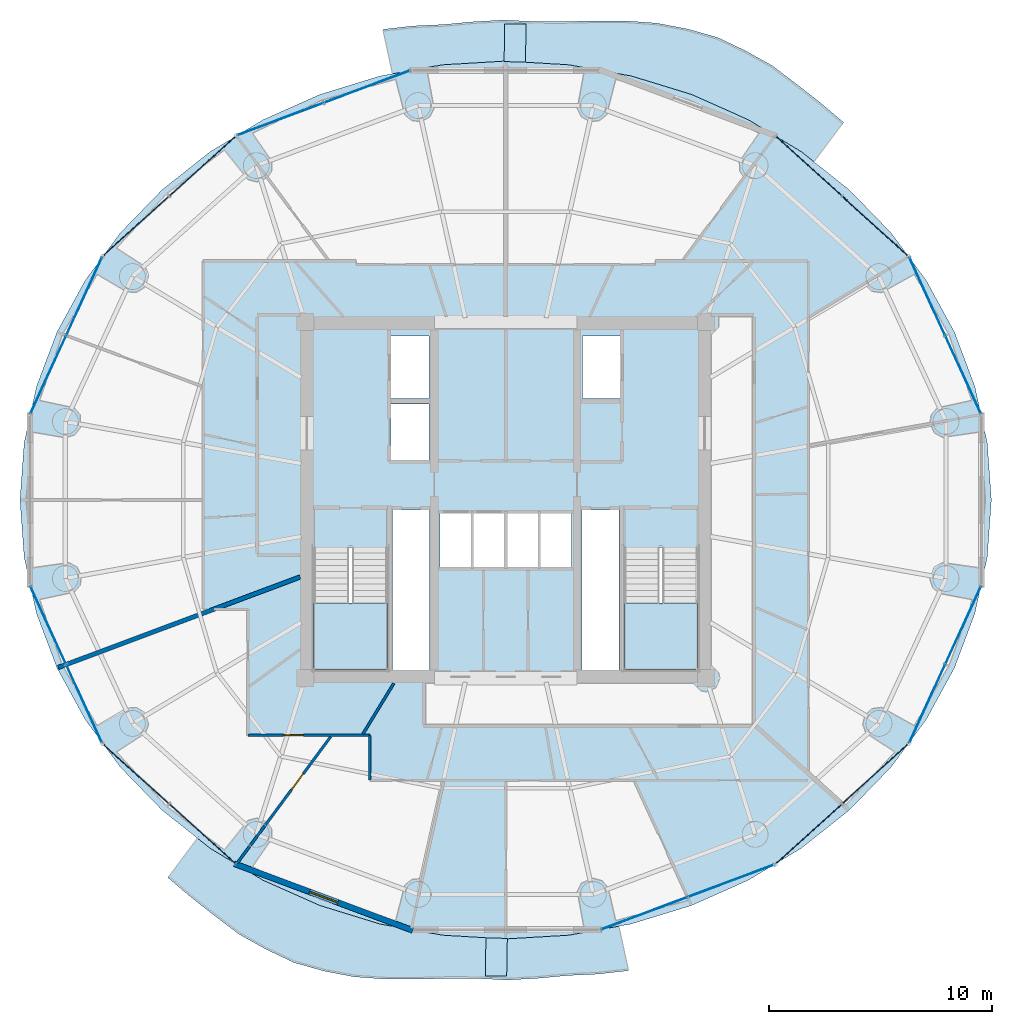
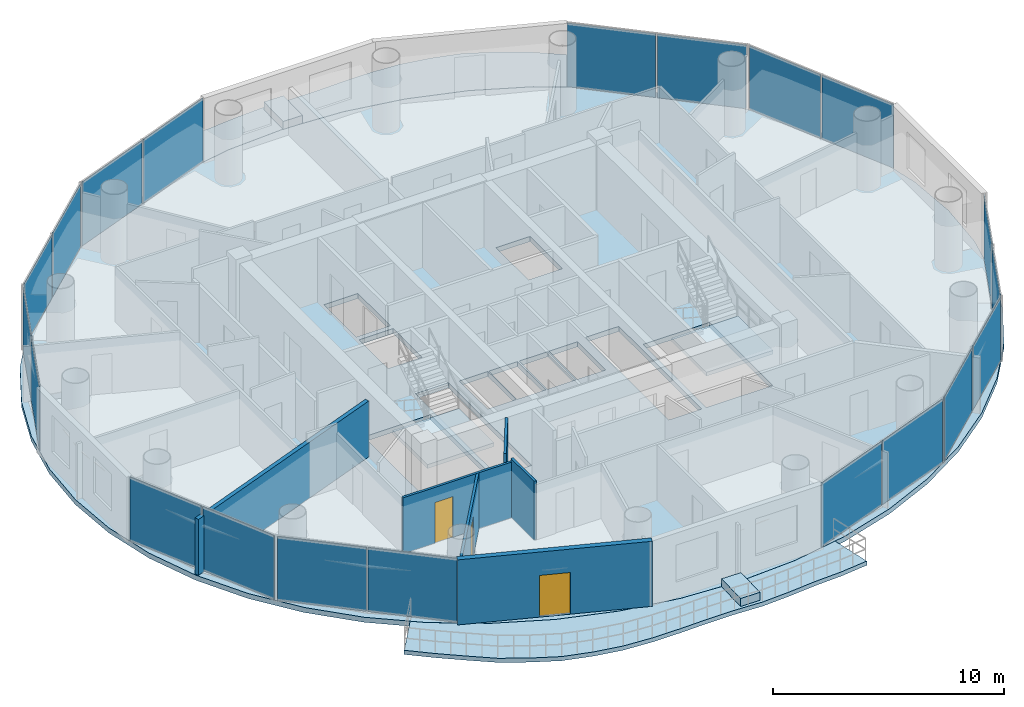
# One storey, part 19 of 26: 20 plates, 7 slabs, 6 walls, 3 doors, 3 openings, 12 elements without a shape of their own.
"""IFC4 building model written with IfcOpenShell, lengths in metres."""

from ifc_helpers import new_model, si_unit, direction, frame, frame_2d, origin, origin_2d, place, context, subcontext, project, spatial, polyline, rectangle, outline, extrude, source, transform, mapped, material, layer, layer_set, type_object, element, fill, aggregate, save


model = new_model("IFC4")

# Units and contexts
model_context = context("Model", 3, precision=1e-05, world=origin(), true_north=direction((-0.2419218956, 0.970295726276)))
body_context = subcontext(model_context, "Body", "Model", "MODEL_VIEW")
ifc_project = project(units=[si_unit("LENGTHUNIT", "METRE"), si_unit("AREAUNIT", "SQUARE_METRE"), si_unit("VOLUMEUNIT", "CUBIC_METRE"), si_unit("PLANEANGLEUNIT", "RADIAN"), si_unit("MASSUNIT", "GRAM", prefix="KILO")], contexts=[model_context])

# Site, building, storey
site_placement = place(None, origin())
site = spatial("IfcSite", under=ifc_project, at=site_placement, CompositionType="ELEMENT")
building_placement = place(site_placement, origin())
building = spatial("IfcBuilding", under=site, at=building_placement, Name="Cobrevalo Terracotta Tower", CompositionType="ELEMENT")
storey_placement = place(building_placement, frame((0.0, 0.0, 209.699951171875)))
storey = spatial("IfcBuildingStorey", under=building, at=storey_placement, Name="L55", CompositionType="ELEMENT", Elevation=209.699951171875)

# Stair, slab
ifc_material_1 = material(Name="Concrete C50", Category="concrete")
stair_type = type_object("IfcStairType", Name="Core protected escape dogleg stair 1600", PredefinedType="HALF_TURN_STAIR", material=ifc_material_1)
stair_1_placement = place(storey_placement, origin())
stair_1 = element("IfcStair", 1, at=stair_1_placement, inside=storey, type_object=stair_type, Name="L55 Protected exit stair ST-1", PredefinedType="HALF_TURN_STAIR")
ifc_layer_1 = layer(ifc_material_1, 0.199951171875)
ifc_layer_set_1 = layer_set([ifc_layer_1], Name="Concrete C50")
slab_type_1 = type_object("IfcSlabType", Name="Reinforced Concrete Stair Landing 200", PredefinedType="LANDING", material=ifc_layer_set_1)
slab_1_placement = place(storey_placement, frame((0.0, 0.0, 1.650146484375)))
slab_1 = element("IfcSlab", 2, at=slab_1_placement, type_object=slab_type_1, Name="ST-1 landing 1", PredefinedType="LANDING", context=body_context, shape_type="SweptSolid", body=[
    extrude(outline(polyline([(29.375, 22.179931640625), (29.375, 19.175048828125), (32.695068359375, 19.175048828125), (32.695068359375, 22.179931640625), (29.375, 22.179931640625)])), origin(), (0.0, 0.0, 1.0), 0.199951171875),
])
aggregate(stair_1, [slab_1])

stair_2_placement = place(storey_placement, origin())
stair_2 = element("IfcStair", 3, at=stair_2_placement, inside=storey, type_object=stair_type, Name="L55 Protected exit stair ST-2", PredefinedType="HALF_TURN_STAIR")
slab_2_placement = place(storey_placement, frame((0.0, 0.0, 1.650146484375)))
slab_2 = element("IfcSlab", 4, at=slab_2_placement, type_object=slab_type_1, Name="ST-2 landing 1", PredefinedType="LANDING", context=body_context, shape_type="SweptSolid", body=[
    extrude(outline(polyline([(43.304931640625, 22.179931640625), (43.304931640625, 19.175048828125), (46.625, 19.175048828125), (46.625, 22.179931640625), (43.304931640625, 22.179931640625)])), origin(), (0.0, 0.0, 1.0), 0.199951171875),
])
aggregate(stair_2, [slab_2])

# Slabs
ifc_material_2 = material(Name="Concrete C45", Category="concrete")
ifc_layer_2 = layer(ifc_material_2, 0.219970703125)
ifc_layer_set_2 = layer_set([ifc_layer_2], Name="Concrete C45")
slab_type_2 = type_object("IfcSlabType", Name="Spiralling cantilevered balcony lobe slab 220 mm", PredefinedType="FLOOR", material=ifc_layer_set_2)
slab_3_placement = place(storey_placement, frame((0.0, 0.0, -0.219970703125)))
element("IfcSlab", 5, at=slab_3_placement, inside=storey, type_object=slab_type_2, Name="L55 spiralling arc balcony slab lobe 1", PredefinedType="FLOOR", context=body_context, shape_type="SweptSolid", body=[
    extrude(outline(polyline([(53.16552734375, 43.746337890625), (52.140869140625, 44.617919921875), (51.06591796875, 45.45947265625), (49.965576171875, 46.29248046875), (48.75439453125, 46.96923828125), (47.49951171875, 47.565673828125), (46.154296875, 47.943359375), (44.781982421875, 48.205078125), (43.385009765625, 48.304443359375), (41.988525390625, 48.30908203125), (40.611083984375, 48.271728515625), (39.25, 48.279052734375), (37.896240234375, 48.34423828125), (36.54248046875, 48.266845703125), (35.193359375, 48.142333984375), (33.83642578125, 48.078857421875), (32.48095703125, 47.923828125), (32.913818359375, 45.9306640625), (35.154296875, 46.33349609375), (38.0, 46.501953125), (40.845703125, 46.33349609375), (43.642822265625, 45.83056640625), (46.34326171875, 45.002197265625), (48.90087890625, 43.862548828125), (51.272216796875, 42.4306640625), (51.84619140625, 41.975830078125), (53.16552734375, 43.746337890625)])), origin(), (0.0, 0.0, 1.0), 0.219970703125),
])
slab_4_placement = place(storey_placement, frame((0.0, 0.0, -0.219970703125)))
element("IfcSlab", 6, at=slab_4_placement, inside=storey, type_object=slab_type_2, Name="L55 spiralling arc balcony slab lobe 2", PredefinedType="FLOOR", context=body_context, shape_type="SweptSolid", body=[
    extrude(outline(polyline([(22.83447265625, 9.853759765625), (23.859130859375, 8.982177734375), (24.93408203125, 8.140625), (26.034423828125, 7.307373046875), (27.24560546875, 6.630859375), (28.50048828125, 6.034423828125), (29.845703125, 5.656494140625), (31.218017578125, 5.394775390625), (32.614990234375, 5.295654296875), (34.011474609375, 5.291015625), (35.388916015625, 5.328125), (36.75, 5.32080078125), (38.103759765625, 5.255615234375), (39.45751953125, 5.3330078125), (40.806640625, 5.457763671875), (42.16357421875, 5.521240234375), (43.51904296875, 5.676025390625), (43.086181640625, 7.669189453125), (40.845703125, 7.2666015625), (38.0, 7.097900390625), (35.154296875, 7.2666015625), (32.357177734375, 7.769287109375), (29.65673828125, 8.59765625), (27.09912109375, 9.737548828125), (24.727783203125, 11.16943359375), (24.15380859375, 11.624267578125), (22.83447265625, 9.853759765625)])), origin(), (0.0, 0.0, 1.0), 0.219970703125),
])
ifc_material_3 = material(Name="Precast concrete C45", Category="concrete")
ifc_layer_3 = layer(ifc_material_3, 0.419921875)
ifc_layer_set_3 = layer_set([ifc_layer_3], Name="Precast concrete C45")
slab_type_3 = type_object("IfcSlabType", Name="Structural tree planter trough base 420 mm", PredefinedType="USERDEFINED", material=ifc_layer_set_3)
slab_5_placement = place(storey_placement, origin())
element("IfcSlab", 7, at=slab_5_placement, inside=storey, type_object=slab_type_3, Name="L55 structural tree planter trough 1", ObjectType="PLANTER", PredefinedType="USERDEFINED", context=body_context, shape_type="SweptSolid", body=[
    extrude(outline(polyline([(38.886962890625, 46.45849609375), (38.915771484375, 48.158203125), (37.955810546875, 48.17431640625), (37.92724609375, 46.474609375), (38.886962890625, 46.45849609375)])), origin(), (0.0, 0.0, 1.0), 0.420166015625),
])
slab_6_placement = place(storey_placement, origin())
element("IfcSlab", 8, at=slab_6_placement, inside=storey, type_object=slab_type_3, Name="L55 structural tree planter trough 2", ObjectType="PLANTER", PredefinedType="USERDEFINED", context=body_context, shape_type="SweptSolid", body=[
    extrude(outline(polyline([(37.113037109375, 7.1416015625), (37.084228515625, 5.44189453125), (38.044189453125, 5.425537109375), (38.07275390625, 7.125244140625), (37.113037109375, 7.1416015625)])), origin(), (0.0, 0.0, 1.0), 0.420166015625),
])
ifc_layer_4 = layer(ifc_material_2, 0.264892578125)
ifc_layer_set_4 = layer_set([ifc_layer_4], Name="Concrete C45")
slab_type_4 = type_object("IfcSlabType", Name="Zone Z4 elliptical floor plate 265 mm", PredefinedType="FLOOR", material=ifc_layer_set_4)
slab_7_placement = place(storey_placement, frame((0.0, 0.0, -0.264892578125)))
element("IfcSlab", 9, at=slab_7_placement, inside=storey, type_object=slab_type_4, Name="L55 indoor elliptical floor slab", PredefinedType="FLOOR", context=body_context, shape_type="SweptSolid", body=[
    extrude(outline(polyline([(59.613525390625, 24.228515625), (59.05712890625, 21.701171875), (58.140625, 19.26123046875), (56.87939453125, 16.949951171875), (55.295166015625, 14.807373046875), (53.4150390625, 12.8701171875), (51.27099609375, 11.1708984375), (48.89990234375, 9.7392578125), (46.342529296875, 8.599609375), (43.642333984375, 7.771240234375), (40.845458984375, 7.2685546875), (38.0, 7.10009765625), (35.154541015625, 7.2685546875), (32.357666015625, 7.771240234375), (29.657470703125, 8.599609375), (27.10009765625, 9.7392578125), (24.72900390625, 11.1708984375), (22.5849609375, 12.8701171875), (20.704833984375, 14.807373046875), (19.12060546875, 16.949951171875), (17.859375, 19.26123046875), (16.94287109375, 21.701171875), (16.386474609375, 24.228515625), (16.199951171875, 26.800048828125), (16.386474609375, 29.371337890625), (16.94287109375, 31.898681640625), (17.859375, 34.3388671875), (19.12060546875, 36.64990234375), (20.704833984375, 38.79248046875), (22.5849609375, 40.72998046875), (24.72900390625, 42.428955078125), (27.10009765625, 43.860595703125), (29.657470703125, 45.00048828125), (32.357666015625, 45.828857421875), (35.154541015625, 46.33154296875), (38.0, 46.5), (40.845458984375, 46.33154296875), (43.642333984375, 45.828857421875), (46.342529296875, 45.00048828125), (48.89990234375, 43.860595703125), (51.27099609375, 42.428955078125), (53.4150390625, 40.72998046875), (55.295166015625, 38.79248046875), (56.87939453125, 36.64990234375), (58.140625, 34.3388671875), (59.05712890625, 31.898681640625), (59.613525390625, 29.371337890625), (59.800048828125, 26.800048828125), (59.613525390625, 24.228515625)]), holes=[polyline([(32.695068359375, 19.175048828125), (32.695068359375, 24.659912109375), (29.375, 24.659912109375), (29.375, 19.175048828125), (32.695068359375, 19.175048828125)]), polyline([(34.574951171875, 26.360107421875), (32.919921875, 26.360107421875), (32.919921875, 19.175048828125), (34.574951171875, 19.175048828125), (34.574951171875, 26.360107421875)]), polyline([(36.47998046875, 26.25), (35.050048828125, 26.25), (35.050048828125, 23.800048828125), (36.47998046875, 23.800048828125), (36.47998046875, 26.25)]), polyline([(37.9599609375, 23.800048828125), (37.9599609375, 26.25), (36.530029296875, 26.25), (36.530029296875, 23.800048828125), (37.9599609375, 23.800048828125)]), polyline([(34.550048828125, 28.60009765625), (34.550048828125, 31.10009765625), (32.85009765625, 31.10009765625), (32.85009765625, 28.60009765625), (34.550048828125, 28.60009765625)]), polyline([(34.550048828125, 34.14990234375), (32.85009765625, 34.14990234375), (32.85009765625, 31.35009765625), (34.550048828125, 31.35009765625), (34.550048828125, 34.14990234375)]), polyline([(43.304931640625, 19.175048828125), (46.625, 19.175048828125), (46.625, 24.659912109375), (43.304931640625, 24.659912109375), (43.304931640625, 19.175048828125)]), polyline([(43.080078125, 19.175048828125), (43.080078125, 26.360107421875), (41.425048828125, 26.360107421875), (41.425048828125, 19.175048828125), (43.080078125, 19.175048828125)]), polyline([(39.469970703125, 26.25), (38.0400390625, 26.25), (38.0400390625, 23.800048828125), (39.469970703125, 23.800048828125), (39.469970703125, 26.25)]), polyline([(40.949951171875, 23.800048828125), (40.949951171875, 26.25), (39.52001953125, 26.25), (39.52001953125, 23.800048828125), (40.949951171875, 23.800048828125)]), polyline([(43.14990234375, 31.35009765625), (43.14990234375, 34.14990234375), (41.449951171875, 34.14990234375), (41.449951171875, 31.35009765625), (43.14990234375, 31.35009765625)])]), origin(), (0.0, 0.0, 1.0), 0.264892578125),
])

# Curtain wall, plates
ifc_material_4 = material(Name="Anodized aluminium", Category="aluminium")
curtain_wall_type = type_object("IfcCurtainWallType", Name="Mid-tower high-wind unitised curtain wall CW-U2", PredefinedType="NOTDEFINED", material=ifc_material_4)
curtain_wall_1_placement = place(storey_placement, origin())
curtain_wall_1 = element("IfcCurtainWall", 10, at=curtain_wall_1_placement, inside=storey, type_object=curtain_wall_type, Name="L55 curtain wall CW-L55-S02", PredefinedType="NOTDEFINED")
ifc_material_5 = material(Name="Solar-control low-E double glazing", Category="glass")
ifc_layer_5 = layer(ifc_material_5, 0.028076171875)
ifc_layer_set_5 = layer_set([ifc_layer_5], Name="Solar-control low-E double glazing")
plate_type = type_object("IfcPlateType", Name="Tower solar-control low-E vision glass panel 28 mm", PredefinedType="CURTAIN_PANEL", material=ifc_layer_set_5)
shared_shape_1 = source(origin(), body_context, "Body", "SweptSolid", [
    extrude(rectangle(XDim=3.927490234375, YDim=0.035888671875, at=origin_2d()), origin(), (0.0, 0.0, 1.0), 3.35498046875),
])
plate_1_placement = place(storey_placement, frame((54.584716796875, 39.09814453125, 0.0400390625), z_axis=(0.0, 0.0, 1.0), x_axis=(-0.741987542015, 0.670413668935, 0.0)))
plate_1 = element("IfcPlate", 11, at=plate_1_placement, type_object=plate_type, Name="CW-L55-S02 glazing panel B01", PredefinedType="CURTAIN_PANEL", context=body_context, shape_type="MappedRepresentation", body=[
    mapped(shared_shape_1, transform((0.0, 0.0, 0.0), scale=1.0)),
])
plate_2_placement = place(storey_placement, frame((51.611083984375, 41.784912109375, 0.0400390625), z_axis=(0.0, 0.0, 1.0), x_axis=(-0.741987542015, 0.670413668935, 0.0)))
plate_2 = element("IfcPlate", 12, at=plate_2_placement, type_object=plate_type, Name="CW-L55-S02 glazing panel B02", PredefinedType="CURTAIN_PANEL", context=body_context, shape_type="MappedRepresentation", body=[
    mapped(shared_shape_1, transform((0.0, 0.0, 0.0), scale=1.0)),
])
aggregate(curtain_wall_1, [plate_1, plate_2])

curtain_wall_2_placement = place(storey_placement, origin())
curtain_wall_2 = element("IfcCurtainWall", 13, at=curtain_wall_2_placement, inside=storey, type_object=curtain_wall_type, Name="L55 curtain wall CW-L55-S06", PredefinedType="NOTDEFINED")
plate_3_placement = place(storey_placement, frame((24.388916015625, 41.784912109375, 0.0400390625), z_axis=(0.0, 0.0, 1.0), x_axis=(-0.741987542015, -0.670413668935, 0.0)))
plate_3 = element("IfcPlate", 14, at=plate_3_placement, type_object=plate_type, Name="CW-L55-S06 glazing panel B01", PredefinedType="CURTAIN_PANEL", context=body_context, shape_type="MappedRepresentation", body=[
    mapped(shared_shape_1, transform((0.0, 0.0, 0.0), scale=1.0)),
])
plate_4_placement = place(storey_placement, frame((21.415283203125, 39.09814453125, 0.0400390625), z_axis=(0.0, 0.0, 1.0), x_axis=(-0.741987542015, -0.670413668935, 0.0)))
plate_4 = element("IfcPlate", 15, at=plate_4_placement, type_object=plate_type, Name="CW-L55-S06 glazing panel B02", PredefinedType="CURTAIN_PANEL", context=body_context, shape_type="MappedRepresentation", body=[
    mapped(shared_shape_1, transform((0.0, 0.0, 0.0), scale=1.0)),
])
aggregate(curtain_wall_2, [plate_3, plate_4])

curtain_wall_3_placement = place(storey_placement, origin())
curtain_wall_3 = element("IfcCurtainWall", 16, at=curtain_wall_3_placement, inside=storey, type_object=curtain_wall_type, Name="L55 curtain wall CW-L55-S10", PredefinedType="NOTDEFINED")
plate_5_placement = place(storey_placement, frame((21.415283203125, 14.501708984375, 0.0400390625), z_axis=(0.0, 0.0, 1.0), x_axis=(0.741987542015, -0.670413668935, 0.0)))
plate_5 = element("IfcPlate", 17, at=plate_5_placement, type_object=plate_type, Name="CW-L55-S10 glazing panel B01", PredefinedType="CURTAIN_PANEL", context=body_context, shape_type="MappedRepresentation", body=[
    mapped(shared_shape_1, transform((0.0, 0.0, 0.0), scale=1.0)),
])
plate_6_placement = place(storey_placement, frame((24.388916015625, 11.815185546875, 0.0400390625), z_axis=(0.0, 0.0, 1.0), x_axis=(0.741987542015, -0.670413668935, 0.0)))
plate_6 = element("IfcPlate", 18, at=plate_6_placement, type_object=plate_type, Name="CW-L55-S10 glazing panel B02", PredefinedType="CURTAIN_PANEL", context=body_context, shape_type="MappedRepresentation", body=[
    mapped(shared_shape_1, transform((0.0, 0.0, 0.0), scale=1.0)),
])
aggregate(curtain_wall_3, [plate_5, plate_6])

curtain_wall_4_placement = place(storey_placement, origin())
curtain_wall_4 = element("IfcCurtainWall", 19, at=curtain_wall_4_placement, inside=storey, type_object=curtain_wall_type, Name="L55 curtain wall CW-L55-S14", PredefinedType="NOTDEFINED")
plate_7_placement = place(storey_placement, frame((51.611083984375, 11.815185546875, 0.0400390625), z_axis=(0.0, 0.0, 1.0), x_axis=(0.741987542015, 0.670413668935, 0.0)))
plate_7 = element("IfcPlate", 20, at=plate_7_placement, type_object=plate_type, Name="CW-L55-S14 glazing panel B01", PredefinedType="CURTAIN_PANEL", context=body_context, shape_type="MappedRepresentation", body=[
    mapped(shared_shape_1, transform((0.0, 0.0, 0.0), scale=1.0)),
])
plate_8_placement = place(storey_placement, frame((54.584716796875, 14.501708984375, 0.0400390625), z_axis=(0.0, 0.0, 1.0), x_axis=(0.741987542015, 0.670413668935, 0.0)))
plate_8 = element("IfcPlate", 21, at=plate_8_placement, type_object=plate_type, Name="CW-L55-S14 glazing panel B02", PredefinedType="CURTAIN_PANEL", context=body_context, shape_type="MappedRepresentation", body=[
    mapped(shared_shape_1, transform((0.0, 0.0, 0.0), scale=1.0)),
])
aggregate(curtain_wall_4, [plate_7, plate_8])

curtain_wall_5_placement = place(storey_placement, origin())
curtain_wall_5 = element("IfcCurtainWall", 22, at=curtain_wall_5_placement, inside=storey, type_object=curtain_wall_type, Name="L55 curtain wall CW-L55-S01", PredefinedType="NOTDEFINED")
shared_shape_2 = source(origin(), body_context, "Body", "SweptSolid", [
    extrude(rectangle(XDim=3.780029296875, YDim=0.035888671875, at=origin_2d()), origin(), (0.0, 0.0, 1.0), 3.35498046875),
])
plate_9_placement = place(storey_placement, frame((58.53076171875, 32.42822265625, 0.0400390625), z_axis=(0.0, 0.0, 1.0), x_axis=(-0.416731425355, 0.909029657999, 0.0)))
plate_9 = element("IfcPlate", 23, at=plate_9_placement, type_object=plate_type, Name="CW-L55-S01 glazing panel B01", PredefinedType="CURTAIN_PANEL", context=body_context, shape_type="MappedRepresentation", body=[
    mapped(shared_shape_2, transform((0.0, 0.0, 0.0), scale=1.0)),
])
plate_10_placement = place(storey_placement, frame((56.922119140625, 35.937255859375, 0.0400390625), z_axis=(0.0, 0.0, 1.0), x_axis=(-0.416731425355, 0.909029657999, 0.0)))
plate_10 = element("IfcPlate", 24, at=plate_10_placement, type_object=plate_type, Name="CW-L55-S01 glazing panel B02", PredefinedType="CURTAIN_PANEL", context=body_context, shape_type="MappedRepresentation", body=[
    mapped(shared_shape_2, transform((0.0, 0.0, 0.0), scale=1.0)),
])
aggregate(curtain_wall_5, [plate_9, plate_10])

curtain_wall_6_placement = place(storey_placement, origin())
curtain_wall_6 = element("IfcCurtainWall", 25, at=curtain_wall_6_placement, inside=storey, type_object=curtain_wall_type, Name="L55 curtain wall CW-L55-S07", PredefinedType="NOTDEFINED")
plate_11_placement = place(storey_placement, frame((19.077880859375, 35.937255859375, 0.0400390625), z_axis=(0.0, 0.0, 1.0), x_axis=(-0.416731425355, -0.909029657999, 0.0)))
plate_11 = element("IfcPlate", 26, at=plate_11_placement, type_object=plate_type, Name="CW-L55-S07 glazing panel B01", PredefinedType="CURTAIN_PANEL", context=body_context, shape_type="MappedRepresentation", body=[
    mapped(shared_shape_2, transform((0.0, 0.0, 0.0), scale=1.0)),
])
plate_12_placement = place(storey_placement, frame((17.46923828125, 32.42822265625, 0.0400390625), z_axis=(0.0, 0.0, 1.0), x_axis=(-0.416731425355, -0.909029657999, 0.0)))
plate_12 = element("IfcPlate", 27, at=plate_12_placement, type_object=plate_type, Name="CW-L55-S07 glazing panel B02", PredefinedType="CURTAIN_PANEL", context=body_context, shape_type="MappedRepresentation", body=[
    mapped(shared_shape_2, transform((0.0, 0.0, 0.0), scale=1.0)),
])
aggregate(curtain_wall_6, [plate_11, plate_12])

curtain_wall_7_placement = place(storey_placement, origin())
curtain_wall_7 = element("IfcCurtainWall", 28, at=curtain_wall_7_placement, inside=storey, type_object=curtain_wall_type, Name="L55 curtain wall CW-L55-S09", PredefinedType="NOTDEFINED")
plate_13_placement = place(storey_placement, frame((17.46923828125, 21.171630859375, 0.0400390625), z_axis=(0.0, 0.0, 1.0), x_axis=(0.416731425355, -0.909029657999, 0.0)))
plate_13 = element("IfcPlate", 29, at=plate_13_placement, type_object=plate_type, Name="CW-L55-S09 glazing panel B01", PredefinedType="CURTAIN_PANEL", context=body_context, shape_type="MappedRepresentation", body=[
    mapped(shared_shape_2, transform((0.0, 0.0, 0.0), scale=1.0)),
])
plate_14_placement = place(storey_placement, frame((19.077880859375, 17.662841796875, 0.0400390625), z_axis=(0.0, 0.0, 1.0), x_axis=(0.416731425355, -0.909029657999, 0.0)))
plate_14 = element("IfcPlate", 30, at=plate_14_placement, type_object=plate_type, Name="CW-L55-S09 glazing panel B02", PredefinedType="CURTAIN_PANEL", context=body_context, shape_type="MappedRepresentation", body=[
    mapped(shared_shape_2, transform((0.0, 0.0, 0.0), scale=1.0)),
])
aggregate(curtain_wall_7, [plate_13, plate_14])

curtain_wall_8_placement = place(storey_placement, origin())
curtain_wall_8 = element("IfcCurtainWall", 31, at=curtain_wall_8_placement, inside=storey, type_object=curtain_wall_type, Name="L55 curtain wall CW-L55-S15", PredefinedType="NOTDEFINED")
plate_15_placement = place(storey_placement, frame((56.922119140625, 17.662841796875, 0.0400390625), z_axis=(0.0, 0.0, 1.0), x_axis=(0.416731425355, 0.909029657999, 0.0)))
plate_15 = element("IfcPlate", 32, at=plate_15_placement, type_object=plate_type, Name="CW-L55-S15 glazing panel B01", PredefinedType="CURTAIN_PANEL", context=body_context, shape_type="MappedRepresentation", body=[
    mapped(shared_shape_2, transform((0.0, 0.0, 0.0), scale=1.0)),
])
plate_16_placement = place(storey_placement, frame((58.53076171875, 21.171630859375, 0.0400390625), z_axis=(0.0, 0.0, 1.0), x_axis=(0.416731425355, 0.909029657999, 0.0)))
plate_16 = element("IfcPlate", 33, at=plate_16_placement, type_object=plate_type, Name="CW-L55-S15 glazing panel B02", PredefinedType="CURTAIN_PANEL", context=body_context, shape_type="MappedRepresentation", body=[
    mapped(shared_shape_2, transform((0.0, 0.0, 0.0), scale=1.0)),
])
aggregate(curtain_wall_8, [plate_15, plate_16])

curtain_wall_9_placement = place(storey_placement, origin())
curtain_wall_9 = element("IfcCurtainWall", 34, at=curtain_wall_9_placement, inside=storey, type_object=curtain_wall_type, Name="L55 curtain wall CW-L55-S05", PredefinedType="NOTDEFINED")
shared_shape_3 = source(origin(), body_context, "Body", "SweptSolid", [
    extrude(rectangle(XDim=4.069580078125, YDim=0.035888671875, at=origin_2d()), origin(), (0.0, 0.0, 1.0), 3.35498046875),
])
plate_17_placement = place(storey_placement, frame((31.772216796875, 45.350830078125, 0.0400390625), z_axis=(0.0, 0.0, 1.0), x_axis=(-0.936557839879, -0.350513070458, 0.0)))
plate_17 = element("IfcPlate", 35, at=plate_17_placement, type_object=plate_type, Name="CW-L55-S05 glazing panel B01", PredefinedType="CURTAIN_PANEL", context=body_context, shape_type="MappedRepresentation", body=[
    mapped(shared_shape_3, transform((0.0, 0.0, 0.0), scale=1.0)),
])
plate_18_placement = place(storey_placement, frame((27.885986328125, 43.896240234375, 0.0400390625), z_axis=(0.0, 0.0, 1.0), x_axis=(-0.936557839879, -0.350513070458, 0.0)))
plate_18 = element("IfcPlate", 36, at=plate_18_placement, type_object=plate_type, Name="CW-L55-S05 glazing panel B02", PredefinedType="CURTAIN_PANEL", context=body_context, shape_type="MappedRepresentation", body=[
    mapped(shared_shape_3, transform((0.0, 0.0, 0.0), scale=1.0)),
])
aggregate(curtain_wall_9, [plate_17, plate_18])

curtain_wall_10_placement = place(storey_placement, origin())
curtain_wall_10 = element("IfcCurtainWall", 37, at=curtain_wall_10_placement, inside=storey, type_object=curtain_wall_type, Name="L55 curtain wall CW-L55-S13", PredefinedType="NOTDEFINED")
plate_19_placement = place(storey_placement, frame((44.227783203125, 8.249267578125, 0.0400390625), z_axis=(0.0, 0.0, 1.0), x_axis=(0.936557839879, 0.350513070458, 0.0)))
plate_19 = element("IfcPlate", 38, at=plate_19_placement, type_object=plate_type, Name="CW-L55-S13 glazing panel B01", PredefinedType="CURTAIN_PANEL", context=body_context, shape_type="MappedRepresentation", body=[
    mapped(shared_shape_3, transform((0.0, 0.0, 0.0), scale=1.0)),
])
plate_20_placement = place(storey_placement, frame((48.114013671875, 9.70361328125, 0.0400390625), z_axis=(0.0, 0.0, 1.0), x_axis=(0.936557839879, 0.350513070458, 0.0)))
plate_20 = element("IfcPlate", 39, at=plate_20_placement, type_object=plate_type, Name="CW-L55-S13 glazing panel B02", PredefinedType="CURTAIN_PANEL", context=body_context, shape_type="MappedRepresentation", body=[
    mapped(shared_shape_3, transform((0.0, 0.0, 0.0), scale=1.0)),
])
aggregate(curtain_wall_10, [plate_19, plate_20])

# Wall
ifc_material_6 = material(Name="Autoclaved aerated concrete block", Category="concrete")
ifc_layer_6 = layer(ifc_material_6, 0.199951171875)
ifc_layer_set_6 = layer_set([ifc_layer_6], Name="Autoclaved aerated concrete block")
wall_type_1 = type_object("IfcWallType", Name="Fire-rated stair, shaft & demising masonry wall 200 mm", PredefinedType="PARTITIONING", material=ifc_layer_set_6)
wall_1_placement = place(storey_placement, frame((28.77490234375, 23.346923828125, 0.0), z_axis=(0.0, 0.0, 1.0), x_axis=(-0.936537569358, -0.350567227761, 0.0)))
element("IfcWall", 40, at=wall_1_placement, inside=storey, type_object=wall_type_1, Name="L55 interior partition IW-L55-DEM-2", PredefinedType="PARTITIONING", context=body_context, shape_type="SweptSolid", body=[
    extrude(rectangle(XDim=11.593994140625, YDim=0.199951171875, at=frame_2d((5.796875, 0.0))), origin(), (0.0, 0.0, 1.0), 2.950927734375),
])

# Wall, opening, door
ifc_layer_7 = layer(ifc_material_6, 0.260009765625)
ifc_layer_set_7 = layer_set([ifc_layer_7], Name="Autoclaved aerated concrete block")
wall_type_2 = type_object("IfcWallType", Name="Recessed balcony loggia insulated exterior wall 260 mm", PredefinedType="SOLIDWALL", material=ifc_layer_set_7)
wall_2_placement = place(storey_placement, frame((25.830322265625, 10.47314453125, 0.0), z_axis=(0.0, 0.0, 1.0), x_axis=(0.936556918375, -0.350515532672, 0.0)))
wall_2 = element("IfcWall", 41, at=wall_2_placement, inside=storey, type_object=wall_type_2, Name="L55 balcony loggia wall S11", PredefinedType="SOLIDWALL", context=body_context, shape_type="SweptSolid", body=[
    extrude(rectangle(XDim=8.539306640625, YDim=0.260009765625, at=frame_2d((4.26953125, 0.0))), origin(), (0.0, 0.0, 1.0), 3.43505859375),
])
opening_1_placement = place(wall_2_placement, frame((3.594482421875, 0.0, 0.0)))
opening_1 = element("IfcOpeningElement", 42, at=opening_1_placement, cuts=wall_2, Name="Opening ED-05", PredefinedType="OPENING", context=body_context, shape_type="SweptSolid", body=[
    extrude(rectangle(XDim=1.35009765625, YDim=2.199951171875, at=frame_2d((0.675048828125, 1.10009765625))), frame((0.0, 0.14013671875, 0.0), z_axis=(0.0, -1.0, 0.0), x_axis=(1.0, 0.0, 0.0)), (0.0, 0.0, 1.0), 0.280029296875),
])
ifc_material_7 = material(Name="Anodized aluminium and laminated glass", Category="aluminium")
door_type_1 = type_object("IfcDoorType", Name="Suite balcony acoustic glazed terrace door 1350x2200", OperationType="NOTDEFINED", PredefinedType="DOOR", material=ifc_material_7)
shared_shape_4 = source(origin(), body_context, "Body", "SweptSolid", [
    extrude(rectangle(XDim=1.35009765625, YDim=2.199951171875, at=frame_2d((0.675048828125, 1.10009765625))), frame((0.0, 0.02490234375, 0.0), z_axis=(0.0, -1.0, 0.0), x_axis=(1.0, 0.0, 0.0)), (0.0, 0.0, 1.0), 0.050048828125),
])
door_1_placement = place(opening_1_placement, frame((1.35009765625, 0.0, 0.0), z_axis=(0.0, 0.0, 1.0), x_axis=(-1.0, 0.0, 0.0)))
door_1 = element("IfcDoor", 43, at=door_1_placement, inside=storey, type_object=door_type_1, Name="L55 glazed balcony terrace door 2", OperationType="SINGLE_SWING_RIGHT", OverallHeight=2.199951171875, OverallWidth=1.35009765625, PredefinedType="DOOR", context=body_context, shape_type="MappedRepresentation", body=[
    mapped(shared_shape_4, transform((0.0, 0.0, 0.0), scale=1.0)),
])
fill(opening_1, door_1)

# Wall
ifc_material_8 = material(Name="Gypsum board on steel stud", Category="steel")
ifc_layer_8 = layer(ifc_material_8, 0.1201171875)
ifc_layer_set_8 = layer_set([ifc_layer_8], Name="Gypsum board on steel stud")
wall_type_3 = type_object("IfcWallType", Name="Residential internal acoustic stud partition 120 mm", PredefinedType="PARTITIONING", material=ifc_layer_set_8)
wall_3_placement = place(storey_placement, frame((31.89990234375, 14.22509765625, 0.0), z_axis=(0.0, 0.0, 1.0), x_axis=(0.0, 1.0, 0.0)))
element("IfcWall", 44, at=wall_3_placement, inside=storey, type_object=wall_type_3, Name="L55 interior partition IW-L55-U2-RING2_0", PredefinedType="PARTITIONING", context=body_context, shape_type="SweptSolid", body=[
    extrude(rectangle(XDim=2.010009765625, YDim=0.1201171875, at=frame_2d((1.0048828125, 0.0))), origin(), (0.0, 0.0, 1.0), 3.110107421875),
])

# Wall, opening, door
wall_4_placement = place(storey_placement, frame((31.89990234375, 16.235107421875, 0.0), z_axis=(0.0, 0.0, 1.0), x_axis=(-1.0, 0.0, 0.0)))
wall_4 = element("IfcWall", 45, at=wall_4_placement, inside=storey, type_object=wall_type_3, Name="L55 interior partition IW-L55-U2-RING3_0", PredefinedType="PARTITIONING", context=body_context, shape_type="SweptSolid", body=[
    extrude(rectangle(XDim=5.46484375, YDim=0.1201171875, at=frame_2d((2.732421875, 0.0))), origin(), (0.0, 0.0, 1.0), 2.950927734375),
])
opening_2_placement = place(wall_4_placement, frame((2.978515625, 0.0, 0.0)))
opening_2 = element("IfcOpeningElement", 46, at=opening_2_placement, cuts=wall_4, Name="Opening ID-12", PredefinedType="OPENING", context=body_context, shape_type="SweptSolid", body=[
    extrude(rectangle(XDim=0.89990234375, YDim=2.14990234375, at=frame_2d((0.449951171875, 1.074951171875))), frame((0.0, 0.070068359375, 0.0), z_axis=(0.0, -1.0, 0.0), x_axis=(1.0, 0.0, 0.0)), (0.0, 0.0, 1.0), 0.14013671875),
])
ifc_material_9 = material(Name="Engineered timber", Category="wood")
door_type_2 = type_object("IfcDoorType", Name="Internal residence & suite timber door 900x2150", OperationType="NOTDEFINED", PredefinedType="DOOR", material=ifc_material_9)
shared_shape_5 = source(origin(), body_context, "Body", "SweptSolid", [
    extrude(rectangle(XDim=0.89990234375, YDim=2.14990234375, at=frame_2d((0.449951171875, 1.074951171875))), frame((0.0, 0.02490234375, 0.0), z_axis=(0.0, -1.0, 0.0), x_axis=(1.0, 0.0, 0.0)), (0.0, 0.0, 1.0), 0.050048828125),
])
door_2_placement = place(opening_2_placement, frame((0.89990234375, 0.0, 0.0), z_axis=(0.0, 0.0, 1.0), x_axis=(-1.0, 0.0, 0.0)))
door_2 = element("IfcDoor", 47, at=door_2_placement, inside=storey, type_object=door_type_2, Name="Flat L55B Utility Closet internal door", OperationType="SINGLE_SWING_RIGHT", OverallHeight=2.14990234375, OverallWidth=0.89990234375, PredefinedType="DOOR", context=body_context, shape_type="MappedRepresentation", body=[
    mapped(shared_shape_5, transform((0.0, 0.0, 0.0), scale=1.0)),
])
fill(opening_2, door_2)

wall_5_placement = place(storey_placement, frame((30.1513671875, 16.18505859375, 0.0), z_axis=(0.0, 0.0, 1.0), x_axis=(-0.594540664599, -0.804065543434, 0.0)))
wall_5 = element("IfcWall", 48, at=wall_5_placement, inside=storey, type_object=wall_type_3, Name="L55 interior partition IW-L55-U2-ORAD1", PredefinedType="PARTITIONING", context=body_context, shape_type="SweptSolid", body=[
    extrude(rectangle(XDim=7.06591796875, YDim=0.1201171875, at=frame_2d((3.532958984375, 0.0))), origin(), (0.0, 0.0, 1.0), 2.950927734375),
])
opening_3_placement = place(wall_5_placement, frame((2.07470703125, 0.0, 0.0)))
opening_3 = element("IfcOpeningElement", 49, at=opening_3_placement, cuts=wall_5, Name="Opening ID-12", PredefinedType="OPENING", context=body_context, shape_type="SweptSolid", body=[
    extrude(rectangle(XDim=0.89990234375, YDim=2.14990234375, at=frame_2d((0.449951171875, 1.074951171875))), frame((0.0, 0.070068359375, 0.0), z_axis=(0.0, -1.0, 0.0), x_axis=(1.0, 0.0, 0.0)), (0.0, 0.0, 1.0), 0.14013671875),
])
door_3_placement = place(opening_3_placement, frame((0.89990234375, 0.0, 0.0), z_axis=(0.0, 0.0, 1.0), x_axis=(-1.0, 0.0, 0.0)))
door_3 = element("IfcDoor", 50, at=door_3_placement, inside=storey, type_object=door_type_2, Name="Flat L55B Living and Dining Room internal door", OperationType="SINGLE_SWING_RIGHT", OverallHeight=2.14990234375, OverallWidth=0.89990234375, PredefinedType="DOOR", context=body_context, shape_type="MappedRepresentation", body=[
    mapped(shared_shape_5, transform((0.0, 0.0, 0.0), scale=1.0)),
])
fill(opening_3, door_3)

# Wall
wall_6_placement = place(storey_placement, frame((32.980712890625, 18.574951171875, 0.0), z_axis=(0.0, 0.0, 1.0), x_axis=(-0.520926540997, -0.853601510592, 0.0)))
element("IfcWall", 51, at=wall_6_placement, inside=storey, type_object=wall_type_3, Name="L55 interior partition IW-L55-U2-IRAD2", PredefinedType="PARTITIONING", context=body_context, shape_type="SweptSolid", body=[
    extrude(rectangle(XDim=2.679443359375, YDim=0.1201171875, at=frame_2d((1.33984375, 0.0))), origin(), (0.0, 0.0, 1.0), 3.43505859375),
])

save(model, "model.ifc")
